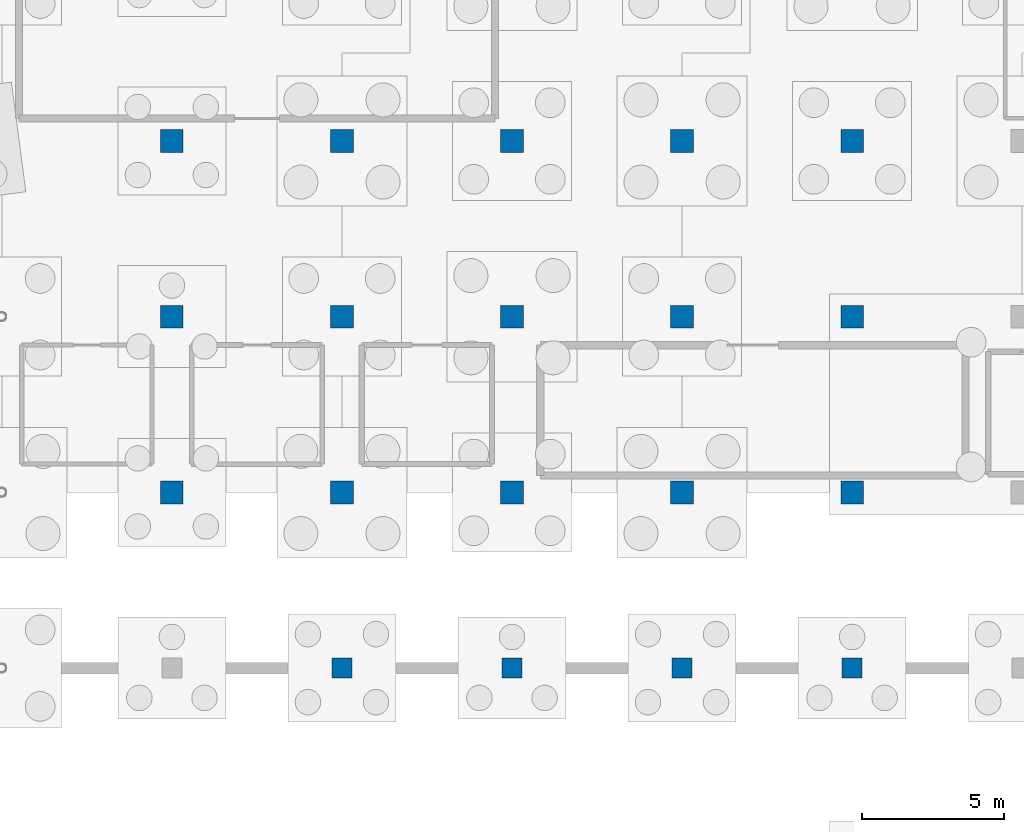
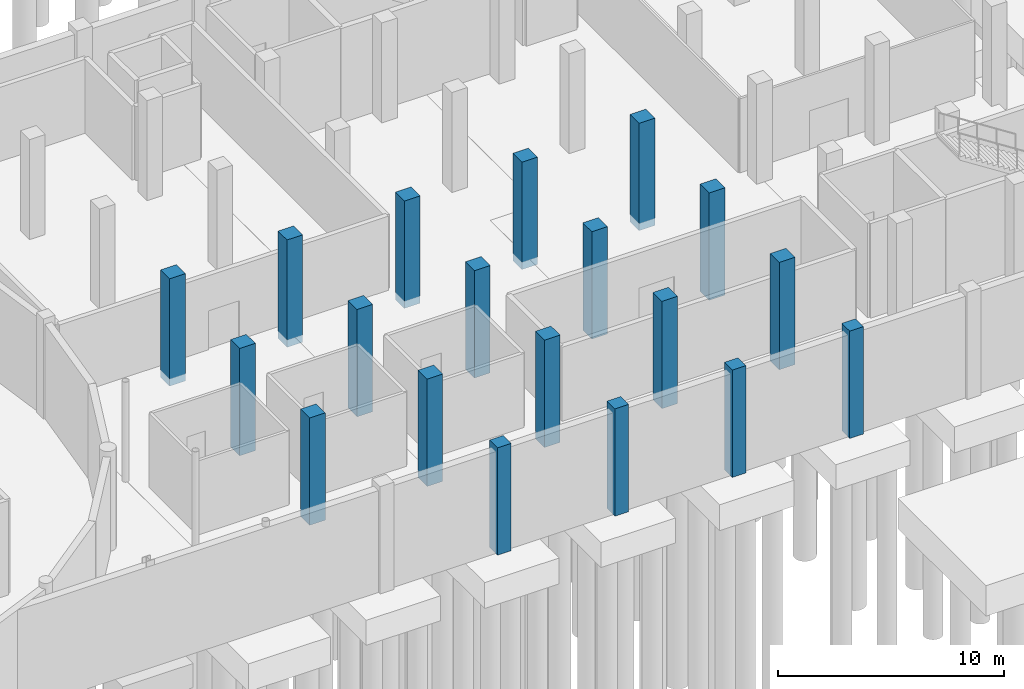
# One storey, part 8 of 19: 19 columns.
"""IFC4 building model written with IfcOpenShell, lengths in metres."""

from ifc_helpers import new_model, si_unit, direction, frame, origin, origin_2d, place, context, subcontext, project, spatial, rectangle, extrude, material, material_profile, profile_set, type_object, element, save


model = new_model("IFC4")

# Units and contexts
model_context = context("Model", 3, precision=1e-05, world=origin(), true_north=direction((0.0, 1.0)))
body_context = subcontext(model_context, "Body", "Model", "MODEL_VIEW")
ifc_project = project(units=[si_unit("LENGTHUNIT", "METRE"), si_unit("AREAUNIT", "SQUARE_METRE"), si_unit("VOLUMEUNIT", "CUBIC_METRE"), si_unit("PLANEANGLEUNIT", "RADIAN"), si_unit("MASSUNIT", "GRAM", prefix="KILO")], contexts=[model_context])

# Site, building, storey
site_placement = place(None, origin())
site = spatial("IfcSite", under=ifc_project, at=site_placement, CompositionType="ELEMENT")
building_placement = place(site_placement, origin())
building = spatial("IfcBuilding", under=site, at=building_placement, Name="Mirzam Square Science Centre", CompositionType="ELEMENT")
storey_placement = place(building_placement, frame((0.0, 0.0, -5.39990234375)))
storey = spatial("IfcBuildingStorey", under=building, at=storey_placement, Name="B01", CompositionType="ELEMENT", Elevation=-5.39990234375)

# Columns
ifc_material = material(Name="Concrete C45/55", Category="concrete")
ifc_material_profile_1 = material_profile(ifc_material, rectangle(XDim=0.699951171875, YDim=0.699951171875, at=origin_2d()), Name="RC700x700")
ifc_profile_set_1 = profile_set([ifc_material_profile_1], Name="Concrete C45/55")
column_type_1 = type_object("IfcColumnType", Name="COL-RC700", PredefinedType="COLUMN", material=ifc_profile_set_1)
for number, where, z_axis, x_axis, name in (
    (1, (114.0, 43.39990234375, -0.400146484375), (0.0, 0.0, 1.0), (1.0, 0.0, 0.0), "B01 column G20-08"),
    (2, (120.0, 43.39990234375, -0.400146484375), (0.0, 0.0, 1.0), (1.0, 0.0, 0.0), "B01 column G21-08"),
    (3, (126.0, 43.39990234375, -0.400146484375), (0.0, 0.0, 1.0), (1.0, 0.0, 0.0), "B01 column G22-08"),
    (4, (132.0, 43.39990234375, -0.400146484375), (0.0, 0.0, 1.0), (1.0, 0.0, 0.0), "B01 column G23-08"),
):
    element("IfcColumn", number, at=place(storey_placement, frame(where, z_axis=z_axis, x_axis=x_axis)), inside=storey, type_object=column_type_1, Name=name, PredefinedType="COLUMN", context=body_context, shape_type="SweptSolid", body=[
        extrude(rectangle(XDim=0.699951171875, YDim=0.699951171875, at=origin_2d()), origin(), (0.0, 0.0, 1.0), 5.800048828125),
    ])
ifc_material_profile_2 = material_profile(ifc_material, rectangle(XDim=0.800048828125, YDim=0.800048828125, at=origin_2d()), Name="RC800x800")
ifc_profile_set_2 = profile_set([ifc_material_profile_2], Name="Concrete C45/55")
column_type_2 = type_object("IfcColumnType", Name="COL-RC800", PredefinedType="COLUMN", material=ifc_profile_set_2)
for number, where, z_axis, x_axis, name in (
    (5, (108.0, 49.60009765625, -0.400146484375), (0.0, 0.0, 1.0), (1.0, 0.0, 0.0), "B01 column G19-09"),
    (6, (108.0, 55.800048828125, -0.400146484375), (0.0, 0.0, 1.0), (1.0, 0.0, 0.0), "B01 column G19-10"),
    (7, (108.0, 62.0, -0.400146484375), (0.0, 0.0, 1.0), (1.0, 0.0, 0.0), "B01 column G19-11"),
    (8, (114.0, 49.60009765625, -0.400146484375), (0.0, 0.0, 1.0), (1.0, 0.0, 0.0), "B01 column G20-09"),
    (9, (114.0, 55.800048828125, -0.400146484375), (0.0, 0.0, 1.0), (1.0, 0.0, 0.0), "B01 column G20-10"),
    (10, (114.0, 62.0, -0.400146484375), (0.0, 0.0, 1.0), (1.0, 0.0, 0.0), "B01 column G20-11"),
    (11, (120.0, 49.60009765625, -0.400146484375), (0.0, 0.0, 1.0), (1.0, 0.0, 0.0), "B01 column G21-09"),
    (12, (120.0, 55.800048828125, -0.400146484375), (0.0, 0.0, 1.0), (1.0, 0.0, 0.0), "B01 column G21-10"),
    (13, (120.0, 62.0, -0.400146484375), (0.0, 0.0, 1.0), (1.0, 0.0, 0.0), "B01 column G21-11"),
    (14, (126.0, 49.60009765625, -0.400146484375), (0.0, 0.0, 1.0), (1.0, 0.0, 0.0), "B01 column G22-09"),
    (15, (126.0, 55.800048828125, -0.400146484375), (0.0, 0.0, 1.0), (1.0, 0.0, 0.0), "B01 column G22-10"),
    (16, (126.0, 62.0, -0.400146484375), (0.0, 0.0, 1.0), (1.0, 0.0, 0.0), "B01 column G22-11"),
    (17, (132.0, 49.60009765625, -0.400146484375), (0.0, 0.0, 1.0), (1.0, 0.0, 0.0), "B01 column G23-09"),
    (18, (132.0, 55.800048828125, -0.400146484375), (0.0, 0.0, 1.0), (1.0, 0.0, 0.0), "B01 column G23-10"),
    (19, (132.0, 62.0, -0.400146484375), (0.0, 0.0, 1.0), (1.0, 0.0, 0.0), "B01 column G23-11"),
):
    element("IfcColumn", number, at=place(storey_placement, frame(where, z_axis=z_axis, x_axis=x_axis)), inside=storey, type_object=column_type_2, Name=name, PredefinedType="COLUMN", context=body_context, shape_type="SweptSolid", body=[
        extrude(rectangle(XDim=0.800048828125, YDim=0.800048828125, at=origin_2d()), origin(), (0.0, 0.0, 1.0), 5.800048828125),
    ])

save(model, "model.ifc")
